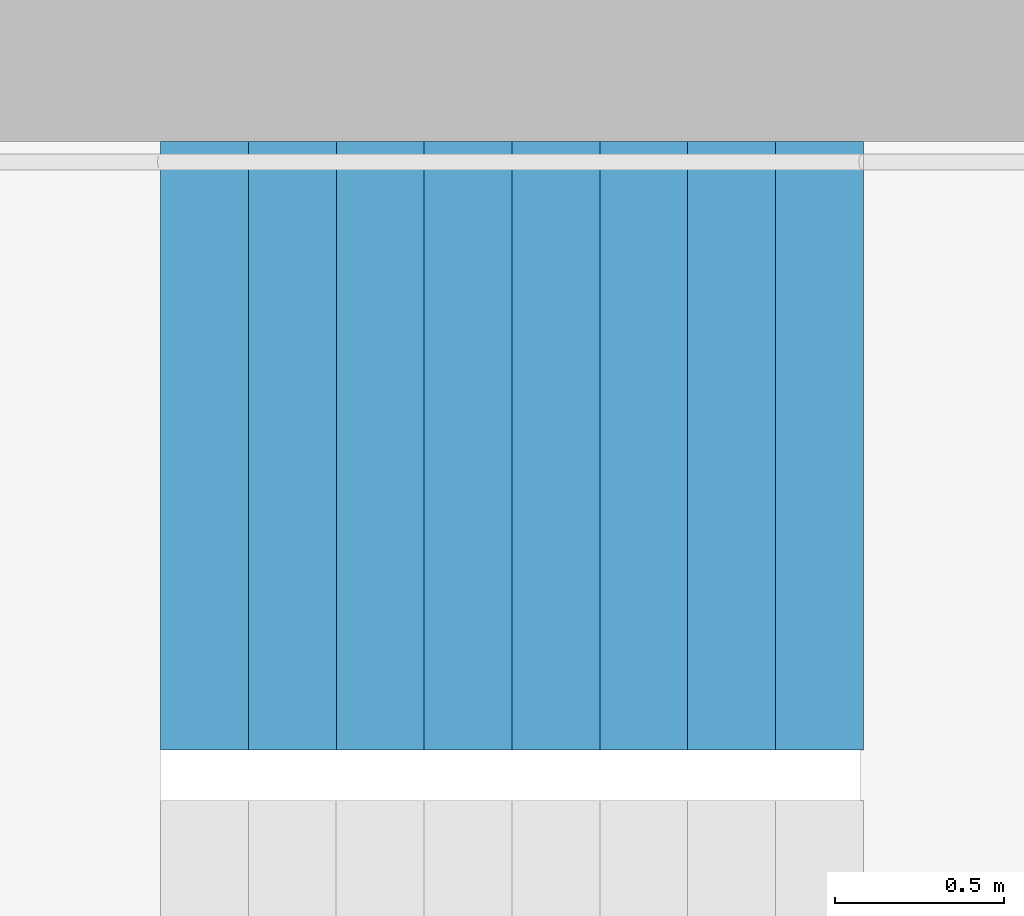
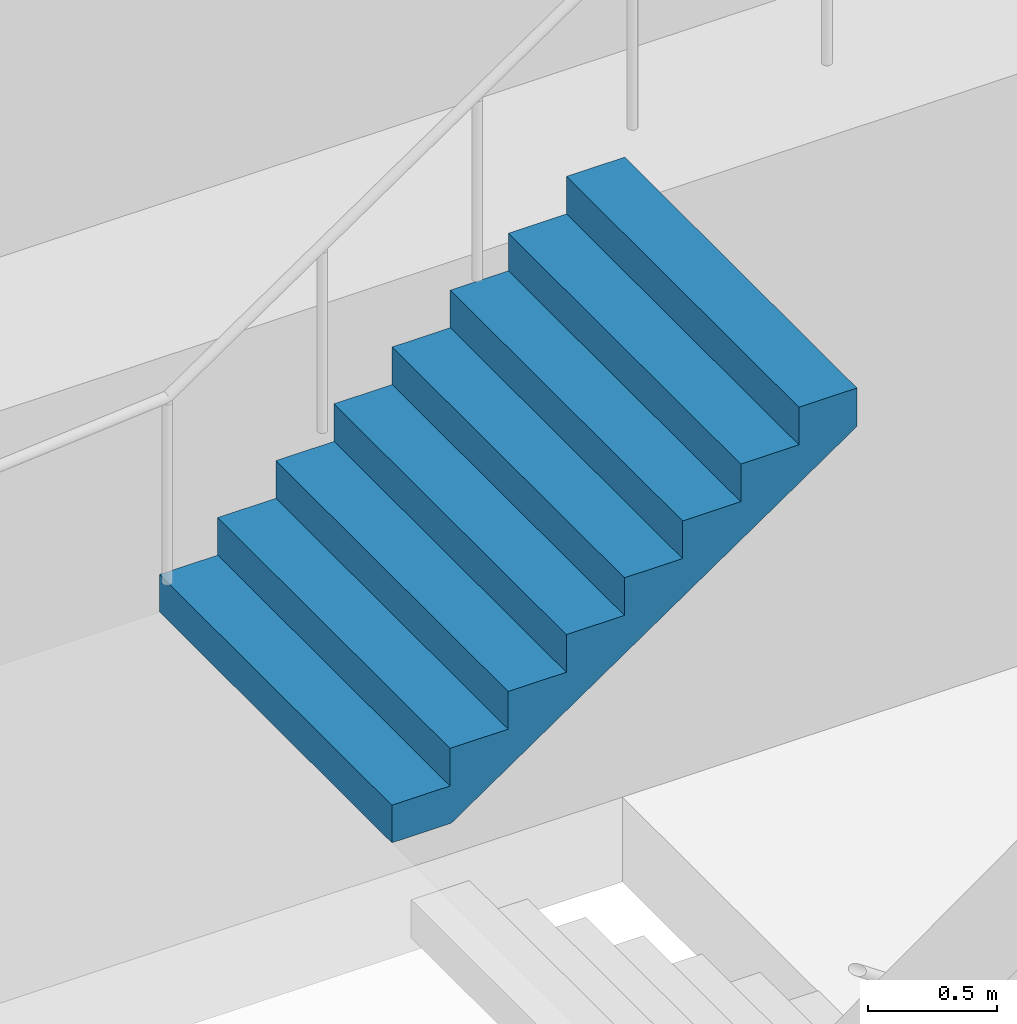
# One storey, part 27 of 28: 1 stair flight, 1 element without a shape of its own.
"""IFC4 building model written with IfcOpenShell, lengths in metres."""

from ifc_helpers import new_model, si_unit, direction, frame, origin, place, context, subcontext, project, spatial, triangles, material, type_object, element, aggregate, save


model = new_model("IFC4")

# Units and contexts
model_context = context("Model", 3, precision=1e-05, world=origin(), true_north=direction((0.0, 1.0)))
body_context = subcontext(model_context, "Body", "Model", "MODEL_VIEW")
ifc_project = project(units=[si_unit("LENGTHUNIT", "METRE"), si_unit("AREAUNIT", "SQUARE_METRE"), si_unit("VOLUMEUNIT", "CUBIC_METRE"), si_unit("PLANEANGLEUNIT", "RADIAN"), si_unit("MASSUNIT", "GRAM", prefix="KILO")], contexts=[model_context])

# Site, building, storey
site_placement = place(None, origin())
site = spatial("IfcSite", under=ifc_project, at=site_placement, CompositionType="ELEMENT")
building_placement = place(site_placement, origin())
building = spatial("IfcBuilding", under=site, at=building_placement, Name="Hakoniwa Tower and Hamabe Station Hall", CompositionType="ELEMENT")
storey_placement = place(building_placement, frame((0.0, 0.0, 35.800048828125)))
storey = spatial("IfcBuildingStorey", under=building, at=storey_placement, Name="L09", CompositionType="ELEMENT", Elevation=35.800048828125)

# Stair, stair flight
ifc_material_1 = material(Name="Concrete C40", Category="concrete")
stair_type = type_object("IfcStairType", Name="ESCAPE STAIR 1800", PredefinedType="HALF_TURN_STAIR", material=ifc_material_1)
stair_placement = place(storey_placement, origin())
stair = element("IfcStair", 1, at=stair_placement, inside=storey, type_object=stair_type, Name="Escape stair ST-3 L09", PredefinedType="HALF_TURN_STAIR")
ifc_material_2 = material(Name="Concrete C40", Category="concrete")
stair_flight_type = type_object("IfcStairFlightType", Name="STAIR FLIGHT 1800", PredefinedType="STRAIGHT", material=ifc_material_2)
stair_flight_placement = place(storey_placement, frame((22.320068359375, 6.60009765625, 1.599853515625), z_axis=(0.0, 0.0, 1.0), x_axis=(1.0, 0.0, 0.0)))
stair_flight = element("IfcStairFlight", 2, at=stair_flight_placement, type_object=stair_flight_type, Name="ST-3 flight 2", NumberOfRisers=9, NumberOfTreads=8, PredefinedType="STRAIGHT", RiserHeight=0.177777778, TreadLength=0.26, context=body_context, shape_type="Tessellation", body=[
    triangles([(0.0, 0.89990234375, 0.0), (0.260009765625, 0.89990234375, 0.0), (0.265625, 0.89990234375, 0.0), (0.52001953125, 0.89990234375, 0.174072265625), (0.780029296875, 0.89990234375, 0.351806640625), (1.0400390625, 0.89990234375, 0.529541015625), (1.300048828125, 0.89990234375, 0.707275390625), (1.56005859375, 0.89990234375, 0.885009765625), (1.820068359375, 0.89990234375, 1.062744140625), (2.080078125, 0.89990234375, 1.24072265625), (2.080078125, 0.89990234375, 1.422119140625), (1.820068359375, 0.89990234375, 1.422119140625), (1.820068359375, 0.89990234375, 1.244384765625), (1.56005859375, 0.89990234375, 1.244384765625), (1.56005859375, 0.89990234375, 1.066650390625), (1.300048828125, 0.89990234375, 1.066650390625), (1.300048828125, 0.89990234375, 0.888916015625), (1.0400390625, 0.89990234375, 0.888916015625), (1.0400390625, 0.89990234375, 0.711181640625), (0.780029296875, 0.89990234375, 0.711181640625), (0.780029296875, 0.89990234375, 0.533447265625), (0.52001953125, 0.89990234375, 0.533447265625), (0.52001953125, 0.89990234375, 0.35546875), (0.265625, 0.89990234375, 0.35546875), (0.260009765625, 0.89990234375, 0.35546875), (0.260009765625, 0.89990234375, 0.177734375), (0.0, 0.89990234375, 0.177734375), (0.0, 0.06005859375, 0.0), (0.260009765625, 0.06005859375, 0.0), (0.265625, 0.06005859375, 0.0), (0.52001953125, 0.06005859375, 0.174072265625), (0.780029296875, 0.06005859375, 0.351806640625), (1.0400390625, 0.06005859375, 0.529541015625), (1.300048828125, 0.06005859375, 0.707275390625), (1.56005859375, 0.06005859375, 0.885009765625), (1.820068359375, 0.06005859375, 1.062744140625), (2.080078125, 0.06005859375, 1.24072265625), (2.080078125, 0.06005859375, 1.422119140625), (1.820068359375, 0.06005859375, 1.422119140625), (1.820068359375, 0.06005859375, 1.244384765625), (1.56005859375, 0.06005859375, 1.244384765625), (1.56005859375, 0.06005859375, 1.066650390625), (1.300048828125, 0.06005859375, 1.066650390625), (1.300048828125, 0.06005859375, 0.888916015625), (1.0400390625, 0.06005859375, 0.888916015625), (1.0400390625, 0.06005859375, 0.711181640625), (0.780029296875, 0.06005859375, 0.711181640625), (0.780029296875, 0.06005859375, 0.533447265625), (0.52001953125, 0.06005859375, 0.533447265625), (0.52001953125, 0.06005859375, 0.35546875), (0.265625, 0.06005859375, 0.35546875), (0.260009765625, 0.06005859375, 0.35546875), (0.260009765625, 0.06005859375, 0.177734375), (0.0, 0.06005859375, 0.177734375), (0.0, 0.04296875, 0.0), (0.260009765625, 0.04296875, 0.0), (0.265625, 0.04296875, 0.0), (0.52001953125, 0.04296875, 0.174072265625), (0.780029296875, 0.04296875, 0.351806640625), (1.0400390625, 0.04296875, 0.529541015625), (1.300048828125, 0.04296875, 0.707275390625), (1.56005859375, 0.04296875, 0.885009765625), (1.820068359375, 0.04296875, 1.062744140625), (2.080078125, 0.04296875, 1.24072265625), (2.080078125, 0.04296875, 1.422119140625), (1.820068359375, 0.04296875, 1.422119140625), (1.820068359375, 0.04296875, 1.244384765625), (1.56005859375, 0.04296875, 1.244384765625), (1.56005859375, 0.04296875, 1.066650390625), (1.300048828125, 0.04296875, 1.066650390625), (1.300048828125, 0.04296875, 0.888916015625), (1.0400390625, 0.04296875, 0.888916015625), (1.0400390625, 0.04296875, 0.711181640625), (0.780029296875, 0.04296875, 0.711181640625), (0.780029296875, 0.04296875, 0.533447265625), (0.52001953125, 0.04296875, 0.533447265625), (0.52001953125, 0.04296875, 0.35546875), (0.265625, 0.04296875, 0.35546875), (0.260009765625, 0.04296875, 0.35546875), (0.260009765625, 0.04296875, 0.177734375), (0.0, 0.04296875, 0.177734375), (0.0, 0.025634765625, 0.0), (0.260009765625, 0.025634765625, 0.0), (0.265625, 0.025634765625, 0.0), (0.52001953125, 0.025634765625, 0.174072265625), (0.780029296875, 0.025634765625, 0.351806640625), (1.0400390625, 0.025634765625, 0.529541015625), (1.300048828125, 0.025634765625, 0.707275390625), (1.56005859375, 0.025634765625, 0.885009765625), (1.820068359375, 0.025634765625, 1.062744140625), (2.080078125, 0.025634765625, 1.24072265625), (2.080078125, 0.025634765625, 1.422119140625), (1.820068359375, 0.025634765625, 1.422119140625), (1.820068359375, 0.025634765625, 1.244384765625), (1.56005859375, 0.025634765625, 1.244384765625), (1.56005859375, 0.025634765625, 1.066650390625), (1.300048828125, 0.025634765625, 1.066650390625), (1.300048828125, 0.025634765625, 0.888916015625), (1.0400390625, 0.025634765625, 0.888916015625), (1.0400390625, 0.025634765625, 0.711181640625), (0.780029296875, 0.025634765625, 0.711181640625), (0.780029296875, 0.025634765625, 0.533447265625), (0.52001953125, 0.025634765625, 0.533447265625), (0.52001953125, 0.025634765625, 0.35546875), (0.265625, 0.025634765625, 0.35546875), (0.260009765625, 0.025634765625, 0.35546875), (0.260009765625, 0.025634765625, 0.177734375), (0.0, 0.025634765625, 0.177734375), (0.0, 0.008544921875, 0.0), (0.260009765625, 0.008544921875, 0.0), (0.265625, 0.008544921875, 0.0), (0.52001953125, 0.008544921875, 0.174072265625), (0.780029296875, 0.008544921875, 0.351806640625), (1.0400390625, 0.008544921875, 0.529541015625), (1.300048828125, 0.008544921875, 0.707275390625), (1.56005859375, 0.008544921875, 0.885009765625), (1.820068359375, 0.008544921875, 1.062744140625), (2.080078125, 0.008544921875, 1.24072265625), (2.080078125, 0.008544921875, 1.422119140625), (1.820068359375, 0.008544921875, 1.422119140625), (1.820068359375, 0.008544921875, 1.244384765625), (1.56005859375, 0.008544921875, 1.244384765625), (1.56005859375, 0.008544921875, 1.066650390625), (1.300048828125, 0.008544921875, 1.066650390625), (1.300048828125, 0.008544921875, 0.888916015625), (1.0400390625, 0.008544921875, 0.888916015625), (1.0400390625, 0.008544921875, 0.711181640625), (0.780029296875, 0.008544921875, 0.711181640625), (0.780029296875, 0.008544921875, 0.533447265625), (0.52001953125, 0.008544921875, 0.533447265625), (0.52001953125, 0.008544921875, 0.35546875), (0.265625, 0.008544921875, 0.35546875), (0.260009765625, 0.008544921875, 0.35546875), (0.260009765625, 0.008544921875, 0.177734375), (0.0, 0.008544921875, 0.177734375), (0.0, -0.008544921875, 0.0), (0.260009765625, -0.008544921875, 0.0), (0.265625, -0.008544921875, 0.0), (0.52001953125, -0.008544921875, 0.174072265625), (0.780029296875, -0.008544921875, 0.351806640625), (1.0400390625, -0.008544921875, 0.529541015625), (1.300048828125, -0.008544921875, 0.707275390625), (1.56005859375, -0.008544921875, 0.885009765625), (1.820068359375, -0.008544921875, 1.062744140625), (2.080078125, -0.008544921875, 1.24072265625), (2.080078125, -0.008544921875, 1.422119140625), (1.820068359375, -0.008544921875, 1.422119140625), (1.820068359375, -0.008544921875, 1.244384765625), (1.56005859375, -0.008544921875, 1.244384765625), (1.56005859375, -0.008544921875, 1.066650390625), (1.300048828125, -0.008544921875, 1.066650390625), (1.300048828125, -0.008544921875, 0.888916015625), (1.0400390625, -0.008544921875, 0.888916015625), (1.0400390625, -0.008544921875, 0.711181640625), (0.780029296875, -0.008544921875, 0.711181640625), (0.780029296875, -0.008544921875, 0.533447265625), (0.52001953125, -0.008544921875, 0.533447265625), (0.52001953125, -0.008544921875, 0.35546875), (0.265625, -0.008544921875, 0.35546875), (0.260009765625, -0.008544921875, 0.35546875), (0.260009765625, -0.008544921875, 0.177734375), (0.0, -0.008544921875, 0.177734375), (0.0, -0.025634765625, 0.0), (0.260009765625, -0.025634765625, 0.0), (0.265625, -0.025634765625, 0.0), (0.52001953125, -0.025634765625, 0.174072265625), (0.780029296875, -0.025634765625, 0.351806640625), (1.0400390625, -0.025634765625, 0.529541015625), (1.300048828125, -0.025634765625, 0.707275390625), (1.56005859375, -0.025634765625, 0.885009765625), (1.820068359375, -0.025634765625, 1.062744140625), (2.080078125, -0.025634765625, 1.24072265625), (2.080078125, -0.025634765625, 1.422119140625), (1.820068359375, -0.025634765625, 1.422119140625), (1.820068359375, -0.025634765625, 1.244384765625), (1.56005859375, -0.025634765625, 1.244384765625), (1.56005859375, -0.025634765625, 1.066650390625), (1.300048828125, -0.025634765625, 1.066650390625), (1.300048828125, -0.025634765625, 0.888916015625), (1.0400390625, -0.025634765625, 0.888916015625), (1.0400390625, -0.025634765625, 0.711181640625), (0.780029296875, -0.025634765625, 0.711181640625), (0.780029296875, -0.025634765625, 0.533447265625), (0.52001953125, -0.025634765625, 0.533447265625), (0.52001953125, -0.025634765625, 0.35546875), (0.265625, -0.025634765625, 0.35546875), (0.260009765625, -0.025634765625, 0.35546875), (0.260009765625, -0.025634765625, 0.177734375), (0.0, -0.025634765625, 0.177734375), (0.0, -0.04296875, 0.0), (0.260009765625, -0.04296875, 0.0), (0.265625, -0.04296875, 0.0), (0.52001953125, -0.04296875, 0.174072265625), (0.780029296875, -0.04296875, 0.351806640625), (1.0400390625, -0.04296875, 0.529541015625), (1.300048828125, -0.04296875, 0.707275390625), (1.56005859375, -0.04296875, 0.885009765625), (1.820068359375, -0.04296875, 1.062744140625), (2.080078125, -0.04296875, 1.24072265625), (2.080078125, -0.04296875, 1.422119140625), (1.820068359375, -0.04296875, 1.422119140625), (1.820068359375, -0.04296875, 1.244384765625), (1.56005859375, -0.04296875, 1.244384765625), (1.56005859375, -0.04296875, 1.066650390625), (1.300048828125, -0.04296875, 1.066650390625), (1.300048828125, -0.04296875, 0.888916015625), (1.0400390625, -0.04296875, 0.888916015625), (1.0400390625, -0.04296875, 0.711181640625), (0.780029296875, -0.04296875, 0.711181640625), (0.780029296875, -0.04296875, 0.533447265625), (0.52001953125, -0.04296875, 0.533447265625), (0.52001953125, -0.04296875, 0.35546875), (0.265625, -0.04296875, 0.35546875), (0.260009765625, -0.04296875, 0.35546875), (0.260009765625, -0.04296875, 0.177734375), (0.0, -0.04296875, 0.177734375), (0.0, -0.06005859375, 0.0), (0.260009765625, -0.06005859375, 0.0), (0.265625, -0.06005859375, 0.0), (0.52001953125, -0.06005859375, 0.174072265625), (0.780029296875, -0.06005859375, 0.351806640625), (1.0400390625, -0.06005859375, 0.529541015625), (1.300048828125, -0.06005859375, 0.707275390625), (1.56005859375, -0.06005859375, 0.885009765625), (1.820068359375, -0.06005859375, 1.062744140625), (2.080078125, -0.06005859375, 1.24072265625), (2.080078125, -0.06005859375, 1.422119140625), (1.820068359375, -0.06005859375, 1.422119140625), (1.820068359375, -0.06005859375, 1.244384765625), (1.56005859375, -0.06005859375, 1.244384765625), (1.56005859375, -0.06005859375, 1.066650390625), (1.300048828125, -0.06005859375, 1.066650390625), (1.300048828125, -0.06005859375, 0.888916015625), (1.0400390625, -0.06005859375, 0.888916015625), (1.0400390625, -0.06005859375, 0.711181640625), (0.780029296875, -0.06005859375, 0.711181640625), (0.780029296875, -0.06005859375, 0.533447265625), (0.52001953125, -0.06005859375, 0.533447265625), (0.52001953125, -0.06005859375, 0.35546875), (0.265625, -0.06005859375, 0.35546875), (0.260009765625, -0.06005859375, 0.35546875), (0.260009765625, -0.06005859375, 0.177734375), (0.0, -0.06005859375, 0.177734375), (0.0, -0.89990234375, 0.0), (0.260009765625, -0.89990234375, 0.0), (0.265625, -0.89990234375, 0.0), (0.52001953125, -0.89990234375, 0.174072265625), (0.780029296875, -0.89990234375, 0.351806640625), (1.0400390625, -0.89990234375, 0.529541015625), (1.300048828125, -0.89990234375, 0.707275390625), (1.56005859375, -0.89990234375, 0.885009765625), (1.820068359375, -0.89990234375, 1.062744140625), (2.080078125, -0.89990234375, 1.24072265625), (2.080078125, -0.89990234375, 1.422119140625), (1.820068359375, -0.89990234375, 1.422119140625), (1.820068359375, -0.89990234375, 1.244384765625), (1.56005859375, -0.89990234375, 1.244384765625), (1.56005859375, -0.89990234375, 1.066650390625), (1.300048828125, -0.89990234375, 1.066650390625), (1.300048828125, -0.89990234375, 0.888916015625), (1.0400390625, -0.89990234375, 0.888916015625), (1.0400390625, -0.89990234375, 0.711181640625), (0.780029296875, -0.89990234375, 0.711181640625), (0.780029296875, -0.89990234375, 0.533447265625), (0.52001953125, -0.89990234375, 0.533447265625), (0.52001953125, -0.89990234375, 0.35546875), (0.265625, -0.89990234375, 0.35546875), (0.260009765625, -0.89990234375, 0.35546875), (0.260009765625, -0.89990234375, 0.177734375), (0.0, -0.89990234375, 0.177734375)], [[2, 27, 26], [245, 269, 270], [2, 1, 27], [245, 270, 244], [3, 25, 24], [246, 267, 268], [3, 26, 25], [246, 268, 269], [3, 2, 26], [246, 269, 245], [4, 24, 23], [247, 266, 267], [4, 3, 24], [247, 267, 246], [5, 22, 21], [248, 264, 265], [5, 23, 22], [248, 265, 266], [5, 4, 23], [248, 266, 247], [6, 20, 19], [249, 262, 263], [6, 21, 20], [249, 263, 264], [6, 5, 21], [249, 264, 248], [7, 18, 17], [250, 260, 261], [7, 19, 18], [250, 261, 262], [7, 6, 19], [250, 262, 249], [8, 16, 15], [251, 258, 259], [8, 17, 16], [251, 259, 260], [8, 7, 17], [251, 260, 250], [9, 14, 13], [252, 256, 257], [9, 15, 14], [252, 257, 258], [9, 8, 15], [252, 258, 251], [10, 12, 11], [253, 254, 255], [10, 13, 12], [253, 255, 256], [10, 9, 13], [253, 256, 252], [1, 2, 29], [1, 29, 28], [28, 29, 56], [28, 56, 55], [55, 56, 83], [55, 83, 82], [82, 83, 110], [82, 110, 109], [109, 110, 137], [109, 137, 136], [136, 137, 164], [136, 164, 163], [163, 164, 191], [163, 191, 190], [190, 191, 218], [190, 218, 217], [217, 218, 245], [217, 245, 244], [2, 3, 30], [2, 30, 29], [29, 30, 57], [29, 57, 56], [56, 57, 84], [56, 84, 83], [83, 84, 111], [83, 111, 110], [110, 111, 138], [110, 138, 137], [137, 138, 165], [137, 165, 164], [164, 165, 192], [164, 192, 191], [191, 192, 219], [191, 219, 218], [218, 219, 246], [218, 246, 245], [3, 4, 31], [3, 31, 30], [30, 31, 58], [30, 58, 57], [57, 58, 85], [57, 85, 84], [84, 85, 112], [84, 112, 111], [111, 112, 139], [111, 139, 138], [138, 139, 166], [138, 166, 165], [165, 166, 193], [165, 193, 192], [192, 193, 220], [192, 220, 219], [219, 220, 247], [219, 247, 246], [4, 5, 32], [4, 32, 31], [31, 32, 59], [31, 59, 58], [58, 59, 86], [58, 86, 85], [85, 86, 113], [85, 113, 112], [112, 113, 140], [112, 140, 139], [139, 140, 167], [139, 167, 166], [166, 167, 194], [166, 194, 193], [193, 194, 221], [193, 221, 220], [220, 221, 248], [220, 248, 247], [5, 6, 33], [5, 33, 32], [32, 33, 60], [32, 60, 59], [59, 60, 87], [59, 87, 86], [86, 87, 114], [86, 114, 113], [113, 114, 141], [113, 141, 140], [140, 141, 168], [140, 168, 167], [167, 168, 195], [167, 195, 194], [194, 195, 222], [194, 222, 221], [221, 222, 249], [221, 249, 248], [6, 7, 34], [6, 34, 33], [33, 34, 61], [33, 61, 60], [60, 61, 88], [60, 88, 87], [87, 88, 115], [87, 115, 114], [114, 115, 142], [114, 142, 141], [141, 142, 169], [141, 169, 168], [168, 169, 196], [168, 196, 195], [195, 196, 223], [195, 223, 222], [222, 223, 250], [222, 250, 249], [7, 8, 35], [7, 35, 34], [34, 35, 62], [34, 62, 61], [61, 62, 89], [61, 89, 88], [88, 89, 116], [88, 116, 115], [115, 116, 143], [115, 143, 142], [142, 143, 170], [142, 170, 169], [169, 170, 197], [169, 197, 196], [196, 197, 224], [196, 224, 223], [223, 224, 251], [223, 251, 250], [8, 9, 36], [8, 36, 35], [35, 36, 63], [35, 63, 62], [62, 63, 90], [62, 90, 89], [89, 90, 117], [89, 117, 116], [116, 117, 144], [116, 144, 143], [143, 144, 171], [143, 171, 170], [170, 171, 198], [170, 198, 197], [197, 198, 225], [197, 225, 224], [224, 225, 252], [224, 252, 251], [9, 10, 37], [9, 37, 36], [36, 37, 64], [36, 64, 63], [63, 64, 91], [63, 91, 90], [90, 91, 118], [90, 118, 117], [117, 118, 145], [117, 145, 144], [144, 145, 172], [144, 172, 171], [171, 172, 199], [171, 199, 198], [198, 199, 226], [198, 226, 225], [225, 226, 253], [225, 253, 252], [10, 11, 38], [10, 38, 37], [37, 38, 65], [37, 65, 64], [64, 65, 92], [64, 92, 91], [91, 92, 119], [91, 119, 118], [118, 119, 146], [118, 146, 145], [145, 146, 173], [145, 173, 172], [172, 173, 200], [172, 200, 199], [199, 200, 227], [199, 227, 226], [226, 227, 254], [226, 254, 253], [11, 12, 39], [11, 39, 38], [38, 39, 66], [38, 66, 65], [65, 66, 93], [65, 93, 92], [92, 93, 120], [92, 120, 119], [119, 120, 147], [119, 147, 146], [146, 147, 174], [146, 174, 173], [173, 174, 201], [173, 201, 200], [200, 201, 228], [200, 228, 227], [227, 228, 255], [227, 255, 254], [12, 13, 40], [12, 40, 39], [39, 40, 67], [39, 67, 66], [66, 67, 94], [66, 94, 93], [93, 94, 121], [93, 121, 120], [120, 121, 148], [120, 148, 147], [147, 148, 175], [147, 175, 174], [174, 175, 202], [174, 202, 201], [201, 202, 229], [201, 229, 228], [228, 229, 256], [228, 256, 255], [13, 14, 41], [13, 41, 40], [40, 41, 68], [40, 68, 67], [67, 68, 95], [67, 95, 94], [94, 95, 122], [94, 122, 121], [121, 122, 149], [121, 149, 148], [148, 149, 176], [148, 176, 175], [175, 176, 203], [175, 203, 202], [202, 203, 230], [202, 230, 229], [229, 230, 257], [229, 257, 256], [14, 15, 42], [14, 42, 41], [41, 42, 69], [41, 69, 68], [68, 69, 96], [68, 96, 95], [95, 96, 123], [95, 123, 122], [122, 123, 150], [122, 150, 149], [149, 150, 177], [149, 177, 176], [176, 177, 204], [176, 204, 203], [203, 204, 231], [203, 231, 230], [230, 231, 258], [230, 258, 257], [15, 16, 43], [15, 43, 42], [42, 43, 70], [42, 70, 69], [69, 70, 97], [69, 97, 96], [96, 97, 124], [96, 124, 123], [123, 124, 151], [123, 151, 150], [150, 151, 178], [150, 178, 177], [177, 178, 205], [177, 205, 204], [204, 205, 232], [204, 232, 231], [231, 232, 259], [231, 259, 258], [16, 17, 44], [16, 44, 43], [43, 44, 71], [43, 71, 70], [70, 71, 98], [70, 98, 97], [97, 98, 125], [97, 125, 124], [124, 125, 152], [124, 152, 151], [151, 152, 179], [151, 179, 178], [178, 179, 206], [178, 206, 205], [205, 206, 233], [205, 233, 232], [232, 233, 260], [232, 260, 259], [17, 18, 45], [17, 45, 44], [44, 45, 72], [44, 72, 71], [71, 72, 99], [71, 99, 98], [98, 99, 126], [98, 126, 125], [125, 126, 153], [125, 153, 152], [152, 153, 180], [152, 180, 179], [179, 180, 207], [179, 207, 206], [206, 207, 234], [206, 234, 233], [233, 234, 261], [233, 261, 260], [18, 19, 46], [18, 46, 45], [45, 46, 73], [45, 73, 72], [72, 73, 100], [72, 100, 99], [99, 100, 127], [99, 127, 126], [126, 127, 154], [126, 154, 153], [153, 154, 181], [153, 181, 180], [180, 181, 208], [180, 208, 207], [207, 208, 235], [207, 235, 234], [234, 235, 262], [234, 262, 261], [19, 20, 47], [19, 47, 46], [46, 47, 74], [46, 74, 73], [73, 74, 101], [73, 101, 100], [100, 101, 128], [100, 128, 127], [127, 128, 155], [127, 155, 154], [154, 155, 182], [154, 182, 181], [181, 182, 209], [181, 209, 208], [208, 209, 236], [208, 236, 235], [235, 236, 263], [235, 263, 262], [20, 21, 48], [20, 48, 47], [47, 48, 75], [47, 75, 74], [74, 75, 102], [74, 102, 101], [101, 102, 129], [101, 129, 128], [128, 129, 156], [128, 156, 155], [155, 156, 183], [155, 183, 182], [182, 183, 210], [182, 210, 209], [209, 210, 237], [209, 237, 236], [236, 237, 264], [236, 264, 263], [21, 22, 49], [21, 49, 48], [48, 49, 76], [48, 76, 75], [75, 76, 103], [75, 103, 102], [102, 103, 130], [102, 130, 129], [129, 130, 157], [129, 157, 156], [156, 157, 184], [156, 184, 183], [183, 184, 211], [183, 211, 210], [210, 211, 238], [210, 238, 237], [237, 238, 265], [237, 265, 264], [22, 23, 50], [22, 50, 49], [49, 50, 77], [49, 77, 76], [76, 77, 104], [76, 104, 103], [103, 104, 131], [103, 131, 130], [130, 131, 158], [130, 158, 157], [157, 158, 185], [157, 185, 184], [184, 185, 212], [184, 212, 211], [211, 212, 239], [211, 239, 238], [238, 239, 266], [238, 266, 265], [23, 24, 51], [23, 51, 50], [50, 51, 78], [50, 78, 77], [77, 78, 105], [77, 105, 104], [104, 105, 132], [104, 132, 131], [131, 132, 159], [131, 159, 158], [158, 159, 186], [158, 186, 185], [185, 186, 213], [185, 213, 212], [212, 213, 240], [212, 240, 239], [239, 240, 267], [239, 267, 266], [24, 25, 52], [24, 52, 51], [51, 52, 79], [51, 79, 78], [78, 79, 106], [78, 106, 105], [105, 106, 133], [105, 133, 132], [132, 133, 160], [132, 160, 159], [159, 160, 187], [159, 187, 186], [186, 187, 214], [186, 214, 213], [213, 214, 241], [213, 241, 240], [240, 241, 268], [240, 268, 267], [25, 26, 53], [25, 53, 52], [52, 53, 80], [52, 80, 79], [79, 80, 107], [79, 107, 106], [106, 107, 134], [106, 134, 133], [133, 134, 161], [133, 161, 160], [160, 161, 188], [160, 188, 187], [187, 188, 215], [187, 215, 214], [214, 215, 242], [214, 242, 241], [241, 242, 269], [241, 269, 268], [26, 27, 54], [26, 54, 53], [53, 54, 81], [53, 81, 80], [80, 81, 108], [80, 108, 107], [107, 108, 135], [107, 135, 134], [134, 135, 162], [134, 162, 161], [161, 162, 189], [161, 189, 188], [188, 189, 216], [188, 216, 215], [215, 216, 243], [215, 243, 242], [242, 243, 270], [242, 270, 269], [27, 1, 28], [27, 28, 54], [54, 28, 55], [54, 55, 81], [81, 55, 82], [81, 82, 108], [108, 82, 109], [108, 109, 135], [135, 109, 136], [135, 136, 162], [162, 136, 163], [162, 163, 189], [189, 163, 190], [189, 190, 216], [216, 190, 217], [216, 217, 243], [243, 217, 244], [243, 244, 270]], closed=True),
])
aggregate(stair, [stair_flight])

save(model, "model.ifc")
